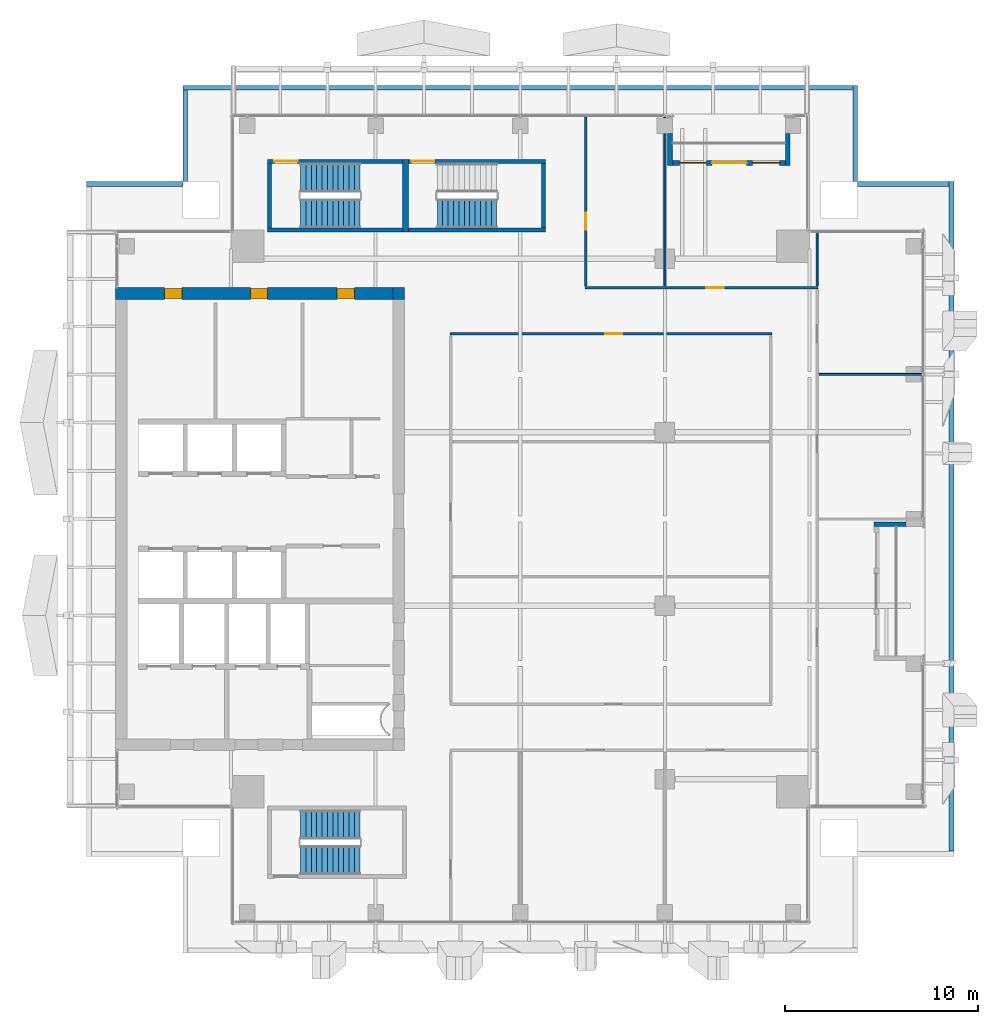
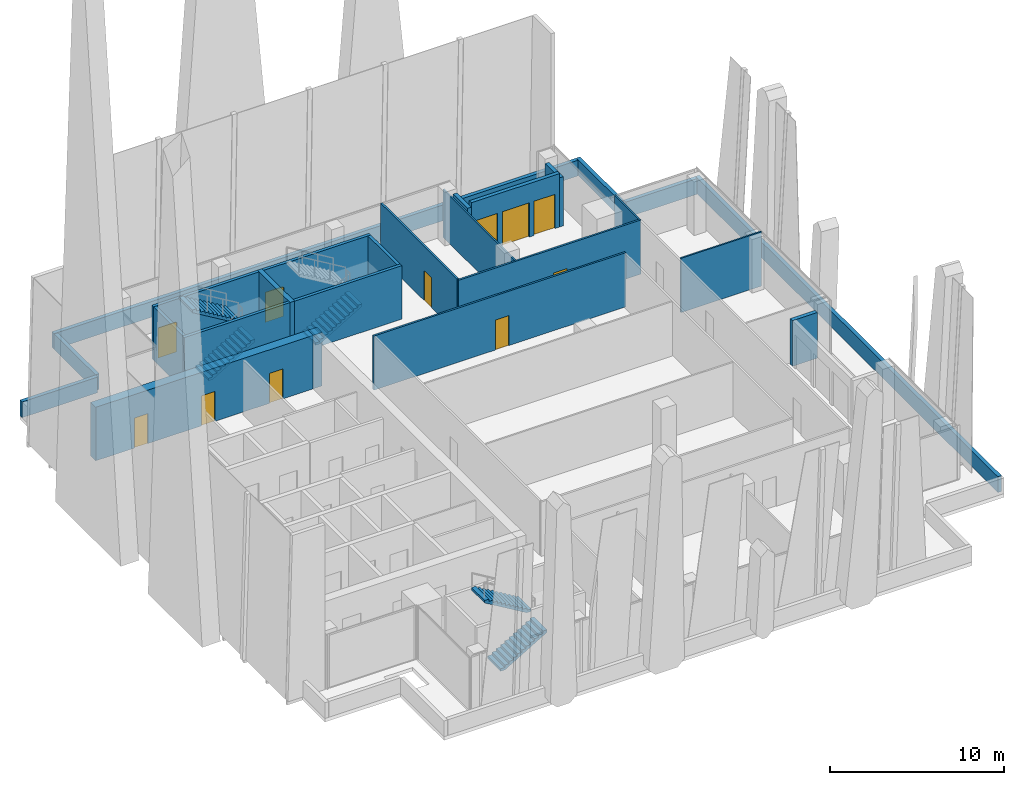
# One storey, part 27 of 32: 25 walls, 9 doors, 5 stair flights, 2 windows, 11 openings, 3 elements without a shape of their own.
"""IFC4 building model written with IfcOpenShell, lengths in metres."""

import ifcopenshell
import ifcopenshell.guid

model = None  # the IFC model being written
_history = None  # IfcOwnerHistory: only IFC2X3 demands one
_inside = {}  # id of a spatial element -> (the spatial element, [elements in it])
_under = {}  # id of a project, library or spatial element -> (it, [spatial elements below it])
_declared = {}  # id of a project -> (the project, [libraries it declares])
_typed = {}  # id of a type object -> (the type object, [elements of that type])
_made_of = {}  # id of a material, layer set ... -> (it, [elements and type objects made of it])


def new_model(schema):
    """Start an empty IFC model of exactly this schema.

    Asked for "IFC4X3", IfcOpenShell would pick the latest addendum, in which some entities
    have other attributes; the version numbers below select the first issue.
    IFC2X3 requires an IfcOwnerHistory on every rooted entity: one is made here for all.
    """
    global model, _history
    if schema == "IFC4X3":
        model = ifcopenshell.file(schema_version=(4, 3, 0, 0))
    else:
        model = ifcopenshell.file(schema=schema)
    _inside.clear()
    _under.clear()
    _declared.clear()
    _typed.clear()
    _made_of.clear()
    _history = None
    if model.schema == "IFC2X3":
        org = make("IfcOrganization", Name="unknown")
        user = make(
            "IfcPersonAndOrganization",
            ThePerson=make("IfcPerson", FamilyName="unknown"),
            TheOrganization=org,
        )
        app = make(
            "IfcApplication",
            ApplicationDeveloper=org,
            Version="unknown",
            ApplicationFullName="unknown",
            ApplicationIdentifier="unknown",
        )
        _history = make(
            "IfcOwnerHistory",
            OwningUser=user,
            OwningApplication=app,
            ChangeAction="ADDED",
            CreationDate=0,
        )
    return model


def make(cls, **values):
    """One entity of the class cls with the attributes given. An attribute that is None is left unset."""
    return model.create_entity(
        cls, **{name: value for name, value in values.items() if value is not None}
    )


def rooted(cls, **values):
    """An entity with a GlobalId (a new one), such as an element, a storey or a relation."""
    return make(cls, GlobalId=ifcopenshell.guid.new(), OwnerHistory=_history, **values)


def si_unit(unit_type, name, prefix=None):
    """IfcSIUnit, for example si_unit("LENGTHUNIT", "METRE", prefix="MILLI")."""
    return make("IfcSIUnit", UnitType=unit_type, Prefix=prefix, Name=name)


def assignment(units):
    """IfcUnitAssignment: the units of a project."""
    return None if units is None else make("IfcUnitAssignment", Units=units)


def point(xyz):
    """IfcCartesianPoint."""
    return None if xyz is None else make("IfcCartesianPoint", Coordinates=xyz)


def direction(xyz):
    """IfcDirection."""
    return None if xyz is None else make("IfcDirection", DirectionRatios=xyz)


def frame(location, z_axis=None, x_axis=None):
    """IfcAxis2Placement3D, a coordinate frame: its origin and axes. An axis left out is left unset."""
    return make(
        "IfcAxis2Placement3D",
        Location=point(location),
        Axis=direction(z_axis),
        RefDirection=direction(x_axis),
    )


def frame_2d(location, x_axis=None):
    """IfcAxis2Placement2D, a coordinate frame in the plane: its origin and x axis."""
    return make(
        "IfcAxis2Placement2D", Location=point(location), RefDirection=direction(x_axis)
    )


def origin():
    """The frame at (0, 0, 0) with its axes left unset."""
    return frame((0.0, 0.0, 0.0))


def place(relative_to, where):
    """IfcLocalPlacement: puts the frame where relative to a parent placement (None: the world)."""
    return make(
        "IfcLocalPlacement", PlacementRelTo=relative_to, RelativePlacement=where
    )


def context(
    kind, dimensions, precision=None, world=None, true_north=None, identifier=None
):
    """IfcGeometricRepresentationContext, for example the 3D "Model" context."""
    return make(
        "IfcGeometricRepresentationContext",
        ContextIdentifier=identifier,
        ContextType=kind,
        CoordinateSpaceDimension=dimensions,
        Precision=precision,
        WorldCoordinateSystem=world,
        TrueNorth=true_north,
    )


def subcontext(parent, identifier, kind, view, scale=None):
    """IfcGeometricRepresentationSubContext, for example "Body" below "Model"."""
    return make(
        "IfcGeometricRepresentationSubContext",
        ContextIdentifier=identifier,
        ContextType=kind,
        ParentContext=parent,
        TargetScale=scale,
        TargetView=view,
    )


def project(units=None, contexts=None):
    """IfcProject with its units and contexts."""
    return rooted(
        "IfcProject",
        Name="project",
        RepresentationContexts=contexts,
        UnitsInContext=assignment(units),
    )


def spatial(cls, under=None, at=None, **own):
    """A site, building, storey or space (cls), placed at a placement, below another one or the project."""
    s = rooted(cls, ObjectPlacement=at, **own)
    if under is not None:
        _under.setdefault(under.id(), (under, []))[1].append(s)
    return s


def polyline(points):
    """IfcPolyline through the points."""
    return make("IfcPolyline", Points=[point(p) for p in points])


def profile(cls, at=None, kind="AREA", **sizes):
    """A parametric profile (cls). Its sizes go by their IFC names, for example OverallWidth=200.0."""
    return make(cls, ProfileType=kind, Position=at, **sizes)


def rectangle(**sizes):
    """IfcRectangleProfileDef."""
    return profile("IfcRectangleProfileDef", **sizes)


def outline(outer, holes=None, kind="AREA"):
    """IfcArbitraryClosedProfileDef: a profile drawn as a closed curve; with holes, ...WithVoids."""
    if holes is None:
        return make("IfcArbitraryClosedProfileDef", ProfileType=kind, OuterCurve=outer)
    return make(
        "IfcArbitraryProfileDefWithVoids",
        ProfileType=kind,
        OuterCurve=outer,
        InnerCurves=holes,
    )


def extrude(swept, where, along, depth):
    """IfcExtrudedAreaSolid: the profile swept, set in the frame where, extruded along a direction by depth."""
    return make(
        "IfcExtrudedAreaSolid",
        SweptArea=swept,
        Position=where,
        ExtrudedDirection=direction(along),
        Depth=depth,
    )


def shape(context_of_items, identifier, shape_type, items):
    """IfcShapeRepresentation: the items that make up one representation, for example the "Body"."""
    return make(
        "IfcShapeRepresentation",
        ContextOfItems=context_of_items,
        RepresentationIdentifier=identifier,
        RepresentationType=shape_type,
        Items=items,
    )


def source(mapping_origin, context_of_items, identifier, shape_type, items):
    """IfcRepresentationMap: a shape defined once, which mapped items show again and again."""
    return make(
        "IfcRepresentationMap",
        MappingOrigin=mapping_origin,
        MappedRepresentation=shape(context_of_items, identifier, shape_type, items),
    )


def transform(
    local_origin,
    x_axis=None,
    y_axis=None,
    z_axis=None,
    scale=None,
    scale2=None,
    scale3=None,
    uniform=True,
):
    """IfcCartesianTransformationOperator3D, or its non-uniform kind. x_axis, y_axis, z_axis: its Axis1, 2, 3."""
    if uniform:
        return make(
            "IfcCartesianTransformationOperator3D",
            Axis1=direction(x_axis),
            Axis2=direction(y_axis),
            LocalOrigin=point(local_origin),
            Scale=scale,
            Axis3=direction(z_axis),
        )
    return make(
        "IfcCartesianTransformationOperator3DnonUniform",
        Axis1=direction(x_axis),
        Axis2=direction(y_axis),
        LocalOrigin=point(local_origin),
        Scale=scale,
        Axis3=direction(z_axis),
        Scale2=scale2,
        Scale3=scale3,
    )


def mapped(mapping_source, mapping_target):
    """IfcMappedItem: shows the shape of a source again, moved by a transform."""
    return make(
        "IfcMappedItem", MappingSource=mapping_source, MappingTarget=mapping_target
    )


def material(Name=None, Category=None):
    """IfcMaterial."""
    return make("IfcMaterial", Name=Name, Category=Category)


def layer(
    of_material, thickness, ventilated=None, Name=None, Category=None, Priority=None
):
    """IfcMaterialLayer: one layer of a wall or slab, of a material (None: an air gap)."""
    return make(
        "IfcMaterialLayer",
        Material=of_material,
        LayerThickness=thickness,
        IsVentilated=ventilated,
        Name=Name,
        Category=Category,
        Priority=Priority,
    )


def layer_set(layers, Name=None):
    """IfcMaterialLayerSet."""
    return make("IfcMaterialLayerSet", MaterialLayers=layers, LayerSetName=Name)


def made_of(thing, what):
    """Note that an element or type object is made of a material, layer set ...; save() writes the relation."""
    if what is not None:
        _made_of.setdefault(what.id(), (what, []))[1].append(thing)
    return thing


def type_object(cls, material=None, **own):
    """A type object (cls), such as IfcWallType, which elements share."""
    return made_of(rooted(cls, **own), material)


def element(
    cls,
    number,
    at=None,
    inside=None,
    cuts=None,
    type_object=None,
    material=None,
    context=None,
    identifier="Body",
    shape_type=None,
    held_by="IfcProductDefinitionShape",
    body=None,
    shapes=None,
    **own,
):
    """One element of the class cls, such as IfcWall. Its Tag is "e" and its number.

    at: its placement. inside: the storey or other place that contains it. cuts: it is an
    opening in that element (IfcRelVoidsElement). A single representation is given by context,
    identifier, shape_type and body (its items); several are given by shapes. held_by: the class
    of the entity that holds the representations. save() writes the other relations.
    """
    e = rooted(cls, Tag="e%d" % number, ObjectPlacement=at, **own)
    if body is not None:
        shapes = [shape(context, identifier, shape_type, body)]
    if shapes is not None:
        e.Representation = make(held_by, Representations=shapes)
    if inside is not None:
        _inside.setdefault(inside.id(), (inside, []))[1].append(e)
    if cuts is not None:
        rooted(
            "IfcRelVoidsElement", RelatingBuildingElement=cuts, RelatedOpeningElement=e
        )
    if type_object is not None:
        _typed.setdefault(type_object.id(), (type_object, []))[1].append(e)
    return made_of(e, material)


def fill(opening, filler):
    """IfcRelFillsElement: the door or window that sits in an opening."""
    return rooted(
        "IfcRelFillsElement",
        RelatingOpeningElement=opening,
        RelatedBuildingElement=filler,
    )


def aggregate(whole, parts):
    """IfcRelAggregates: a whole, such as a stair, and the parts it consists of."""
    return rooted("IfcRelAggregates", RelatingObject=whole, RelatedObjects=parts)


def save(model, path):
    """Write the relations noted so far, then the file.

    IfcRelAggregates (storeys below a building ...), IfcRelContainedInSpatialStructure (elements
    in a storey), IfcRelDefinesByType, IfcRelAssociatesMaterial and IfcRelDeclares: one each for
    every whole, place, type object, material and project.
    """
    for whole, parts in _under.values():
        aggregate(whole, parts)
    for where, things in _inside.values():
        rooted(
            "IfcRelContainedInSpatialStructure",
            RelatedElements=things,
            RelatingStructure=where,
        )
    for kind, things in _typed.values():
        rooted("IfcRelDefinesByType", RelatedObjects=things, RelatingType=kind)
    for what, things in _made_of.values():
        rooted("IfcRelAssociatesMaterial", RelatedObjects=things, RelatingMaterial=what)
    for by, libraries in _declared.values():
        rooted("IfcRelDeclares", RelatingContext=by, RelatedDefinitions=libraries)
    model.write(path)


model = new_model("IFC4")

# Units and contexts
model_context = context("Model", 3, precision=1e-05, world=origin(), true_north=direction((0.0, 1.0)))
body_context = subcontext(model_context, "Body", "Model", "MODEL_VIEW")
ifc_project = project(units=[si_unit("LENGTHUNIT", "METRE"), si_unit("AREAUNIT", "SQUARE_METRE"), si_unit("VOLUMEUNIT", "CUBIC_METRE"), si_unit("PLANEANGLEUNIT", "RADIAN"), si_unit("MASSUNIT", "GRAM", prefix="KILO")], contexts=[model_context])

# Site, building, storey
site_placement = place(None, origin())
site = spatial("IfcSite", under=ifc_project, at=site_placement, CompositionType="ELEMENT")
building_placement = place(site_placement, origin())
building = spatial("IfcBuilding", under=site, at=building_placement, Name="Khomas Fold Tower", CompositionType="ELEMENT")
storey_placement = place(building_placement, frame((0.0, 0.0, 282.199951171875)))
storey = spatial("IfcBuildingStorey", under=building, at=storey_placement, Name="L63", CompositionType="ELEMENT", Elevation=282.199951171875)

# Wall, opening, door
ifc_material_1 = material(Name="Concrete C50/60", Category="concrete")
ifc_layer_1 = layer(ifc_material_1, 0.199951171875)
ifc_layer_set_1 = layer_set([ifc_layer_1], Name="Concrete C50/60")
wall_type_1 = type_object("IfcWallType", Name="Stair wall 200", PredefinedType="SHEAR", material=ifc_layer_set_1)
shared_shape_1 = source(origin(), body_context, "Body", "SweptSolid", [
    extrude(rectangle(XDim=7.0, YDim=0.199951171875, at=frame_2d((3.5, 0.0))), origin(), (0.0, 0.0, 1.0), 3.75),
])
wall_1_placement = place(storey_placement, frame((13.89990234375, 45.550048828125, 0.0), z_axis=(0.0, 0.0, 1.0), x_axis=(1.0, 0.0, 0.0)))
wall_1 = element("IfcWall", 1, at=wall_1_placement, inside=storey, type_object=wall_type_1, Name="Stair wall SW-ST1-N", PredefinedType="SHEAR", context=body_context, shape_type="MappedRepresentation", body=[
    mapped(shared_shape_1, transform((0.0, 0.0, 0.0))),
])
shared_shape_2 = source(origin(), body_context, "Body", "SweptSolid", [
    extrude(rectangle(XDim=1.199951171875, YDim=2.10009765625, at=frame_2d((0.60009765625, 1.050048828125))), frame((0.0, 0.10986328125, 0.0), z_axis=(0.0, -1.0, 0.0), x_axis=(1.0, 0.0, 0.0)), (0.0, 0.0, 1.0), 0.219970703125),
])
opening_1_placement = place(wall_1_placement, frame((0.35009765625, 0.0, 0.0)))
opening_1 = element("IfcOpeningElement", 2, at=opening_1_placement, cuts=wall_1, Name="Opening SD-ST1", PredefinedType="OPENING", context=body_context, shape_type="MappedRepresentation", body=[
    mapped(shared_shape_2, transform((0.0, 0.0, 0.0))),
])
ifc_material_2 = material(Name="Steel door leaf", Category="steel")
door_type_1 = type_object("IfcDoorType", Name="Stair door 1200x2100 left-hand", OperationType="SINGLE_SWING_LEFT", PredefinedType="DOOR", material=ifc_material_2)
shared_shape_3 = source(origin(), body_context, "Body", "SweptSolid", [
    extrude(rectangle(XDim=1.199951171875, YDim=2.10009765625, at=frame_2d((0.60009765625, 1.050048828125))), frame((0.0, 0.02490234375, 0.0), z_axis=(0.0, -1.0, 0.0), x_axis=(1.0, 0.0, 0.0)), (0.0, 0.0, 1.0), 0.050048828125),
])
door_1_placement = place(opening_1_placement, origin())
door_1 = element("IfcDoor", 3, at=door_1_placement, inside=storey, type_object=door_type_1, Name="Stair door", OperationType="SINGLE_SWING_LEFT", OverallHeight=2.10009765625, OverallWidth=1.199951171875, PredefinedType="DOOR", context=body_context, shape_type="MappedRepresentation", body=[
    mapped(shared_shape_3, transform((0.0, 0.0, 0.0))),
])
fill(opening_1, door_1)

# Wall
wall_2_placement = place(storey_placement, frame((13.89990234375, 42.0, 0.0), z_axis=(0.0, 0.0, 1.0), x_axis=(1.0, 0.0, 0.0)))
element("IfcWall", 4, at=wall_2_placement, inside=storey, type_object=wall_type_1, Name="Stair wall SW-ST1-S", PredefinedType="SHEAR", context=body_context, shape_type="MappedRepresentation", body=[
    mapped(shared_shape_1, transform((0.0, 0.0, 0.0))),
])

# Wall, opening, door
shared_shape_4 = source(origin(), body_context, "Body", "SweptSolid", [
    extrude(rectangle(XDim=7.10009765625, YDim=0.199951171875, at=frame_2d((3.550048828125, 0.0))), origin(), (0.0, 0.0, 1.0), 3.75),
])
wall_3_placement = place(storey_placement, frame((21.199951171875, 45.550048828125, 0.0), z_axis=(0.0, 0.0, 1.0), x_axis=(1.0, 0.0, 0.0)))
wall_3 = element("IfcWall", 5, at=wall_3_placement, inside=storey, type_object=wall_type_1, Name="Stair wall SW-ST3-N", PredefinedType="SHEAR", context=body_context, shape_type="MappedRepresentation", body=[
    mapped(shared_shape_4, transform((0.0, 0.0, 0.0))),
])
opening_2_placement = place(wall_3_placement, frame((0.14990234375, 0.0, 0.0)))
opening_2 = element("IfcOpeningElement", 6, at=opening_2_placement, cuts=wall_3, Name="Opening SD-ST3", PredefinedType="OPENING", context=body_context, shape_type="MappedRepresentation", body=[
    mapped(shared_shape_2, transform((0.0, 0.0, 0.0))),
])
door_2_placement = place(opening_2_placement, origin())
door_2 = element("IfcDoor", 7, at=door_2_placement, inside=storey, type_object=door_type_1, Name="Stair door", OperationType="SINGLE_SWING_LEFT", OverallHeight=2.10009765625, OverallWidth=1.199951171875, PredefinedType="DOOR", context=body_context, shape_type="MappedRepresentation", body=[
    mapped(shared_shape_3, transform((0.0, 0.0, 0.0))),
])
fill(opening_2, door_2)

# Walls
wall_4_placement = place(storey_placement, frame((21.199951171875, 42.0, 0.0), z_axis=(0.0, 0.0, 1.0), x_axis=(1.0, 0.0, 0.0)))
element("IfcWall", 8, at=wall_4_placement, inside=storey, type_object=wall_type_1, Name="Stair wall SW-ST3-S", PredefinedType="SHEAR", context=body_context, shape_type="MappedRepresentation", body=[
    mapped(shared_shape_4, transform((0.0, 0.0, 0.0))),
])
ifc_material_3 = material(Name="Concrete C50/60", Category="concrete")
ifc_layer_2 = layer(ifc_material_3, 0.300048828125)
ifc_layer_set_2 = layer_set([ifc_layer_2], Name="Concrete C50/60")
wall_type_2 = type_object("IfcWallType", Name="Stair wall 300", PredefinedType="SHEAR", material=ifc_layer_set_2)
shared_shape_5 = source(origin(), body_context, "Body", "SweptSolid", [
    extrude(rectangle(XDim=3.75, YDim=0.300048828125, at=frame_2d((1.875, 0.0))), origin(), (0.0, 0.0, 1.0), 3.75),
])
wall_5_placement = place(storey_placement, frame((21.050048828125, 41.89990234375, 0.0), z_axis=(0.0, 0.0, 1.0), x_axis=(0.0, 1.0, 0.0)))
element("IfcWall", 9, at=wall_5_placement, inside=storey, type_object=wall_type_2, Name="Stair wall SW-ST1-E", PredefinedType="SHEAR", context=body_context, shape_type="MappedRepresentation", body=[
    mapped(shared_shape_5, transform((0.0, 0.0, 0.0))),
])
shared_shape_6 = source(origin(), body_context, "Body", "SweptSolid", [
    extrude(rectangle(XDim=3.349853515625, YDim=0.199951171875, at=frame_2d((1.6748046875, 0.0))), origin(), (0.0, 0.0, 1.0), 3.75),
])
for number, where, z_axis, x_axis, name in (
    (10, (14.0, 42.10009765625, 0.0), (0.0, 0.0, 1.0), (0.0, 1.0, 0.0), "Stair wall SW-ST1-W"),
    (11, (28.199951171875, 42.10009765625, 0.0), (0.0, 0.0, 1.0), (0.0, 1.0, 0.0), "Stair wall SW-ST3-E"),
):
    element("IfcWall", number, at=place(storey_placement, frame(where, z_axis=z_axis, x_axis=x_axis)), inside=storey, type_object=wall_type_1, Name=name, PredefinedType="SHEAR", context=body_context, shape_type="MappedRepresentation", body=[
        mapped(shared_shape_6, transform((0.0, 0.0, 0.0))),
    ])

# Wall, openings, doors
ifc_material_4 = material(Name="Concrete C50/60", Category="concrete")
ifc_layer_3 = layer(ifc_material_4, 0.60009765625)
ifc_layer_set_3 = layer_set([ifc_layer_3], Name="Concrete C50/60")
wall_type_3 = type_object("IfcWallType", Name="Core wall 600", PredefinedType="SHEAR", material=ifc_layer_set_3)
shared_shape_7 = source(origin(), body_context, "Body", "SweptSolid", [
    extrude(rectangle(XDim=14.39990234375, YDim=0.60009765625, at=frame_2d((7.199951171875, 0.0))), origin(), (0.0, 0.0, 1.0), 3.75),
])
wall_6_placement = place(storey_placement, frame((6.0, 38.699951171875, 0.0), z_axis=(0.0, 0.0, 1.0), x_axis=(1.0, 0.0, 0.0)))
wall_6 = element("IfcWall", 12, at=wall_6_placement, inside=storey, type_object=wall_type_3, Name="Core wall CW-U-N-L63", PredefinedType="SHEAR", context=body_context, shape_type="MappedRepresentation", body=[
    mapped(shared_shape_7, transform((0.0, 0.0, 0.0))),
])
shared_shape_8 = source(origin(), body_context, "Body", "SweptSolid", [
    extrude(rectangle(XDim=0.89990234375, YDim=2.10009765625, at=frame_2d((0.449951171875, 1.050048828125))), frame((0.0, 0.31005859375, 0.0), z_axis=(0.0, -1.0, 0.0), x_axis=(1.0, 0.0, 0.0)), (0.0, 0.0, 1.0), 0.6201171875),
])
opening_3_placement = place(wall_6_placement, frame((2.550048828125, 0.0, 0.0)))
opening_3 = element("IfcOpeningElement", 13, at=opening_3_placement, cuts=wall_6, Name="Opening 0003", PredefinedType="OPENING", context=body_context, shape_type="MappedRepresentation", body=[
    mapped(shared_shape_8, transform((0.0, 0.0, 0.0))),
])
opening_4_placement = place(wall_6_placement, frame((7.0, 0.0, 0.0)))
opening_4 = element("IfcOpeningElement", 14, at=opening_4_placement, cuts=wall_6, Name="Opening 0003", PredefinedType="OPENING", context=body_context, shape_type="MappedRepresentation", body=[
    mapped(shared_shape_8, transform((0.0, 0.0, 0.0))),
])
opening_5_placement = place(wall_6_placement, frame((11.5, 0.0, 0.0)))
opening_5 = element("IfcOpeningElement", 15, at=opening_5_placement, cuts=wall_6, Name="Opening 0008", PredefinedType="OPENING", context=body_context, shape_type="MappedRepresentation", body=[
    mapped(shared_shape_8, transform((0.0, 0.0, 0.0))),
])
ifc_material_5 = material(Name="Steel door leaf", Category="steel")
door_type_2 = type_object("IfcDoorType", Name="Plant room door 900x2100 right-hand", OperationType="SINGLE_SWING_RIGHT", PredefinedType="DOOR", material=ifc_material_5)
shared_shape_9 = source(origin(), body_context, "Body", "SweptSolid", [
    extrude(rectangle(XDim=0.89990234375, YDim=2.10009765625, at=frame_2d((0.449951171875, 1.050048828125))), frame((0.0, 0.25, 0.0), z_axis=(0.0, -1.0, 0.0), x_axis=(1.0, 0.0, 0.0)), (0.0, 0.0, 1.0), 0.5),
])
door_3_placement = place(opening_3_placement, origin())
door_3 = element("IfcDoor", 16, at=door_3_placement, inside=storey, type_object=door_type_2, Name="Plant room door", OperationType="SINGLE_SWING_RIGHT", OverallHeight=2.10009765625, OverallWidth=0.89990234375, PredefinedType="DOOR", context=body_context, shape_type="MappedRepresentation", body=[
    mapped(shared_shape_9, transform((0.0, 0.0, 0.0))),
])
fill(opening_3, door_3)
door_4_placement = place(opening_4_placement, origin())
door_4 = element("IfcDoor", 17, at=door_4_placement, inside=storey, type_object=door_type_2, Name="Plant room door", OperationType="SINGLE_SWING_RIGHT", OverallHeight=2.10009765625, OverallWidth=0.89990234375, PredefinedType="DOOR", context=body_context, shape_type="MappedRepresentation", body=[
    mapped(shared_shape_9, transform((0.0, 0.0, 0.0))),
])
fill(opening_4, door_4)
ifc_material_6 = material(Name="Timber door leaf", Category="wood")
door_type_3 = type_object("IfcDoorType", Name="Door 900x2100 right-hand", OperationType="SINGLE_SWING_RIGHT", PredefinedType="DOOR", material=ifc_material_6)
door_5_placement = place(opening_5_placement, origin())
door_5 = element("IfcDoor", 18, at=door_5_placement, inside=storey, type_object=door_type_3, Name="Door", OperationType="SINGLE_SWING_RIGHT", OverallHeight=2.10009765625, OverallWidth=0.89990234375, PredefinedType="DOOR", context=body_context, shape_type="MappedRepresentation", body=[
    mapped(shared_shape_9, transform((0.0, 0.0, 0.0))),
])
fill(opening_5, door_5)

# Wall
ifc_material_7 = material(Name="Concrete C50/60", Category="concrete")
ifc_layer_4 = layer(ifc_material_7, 0.60009765625)
ifc_layer_set_4 = layer_set([ifc_layer_4], Name="Concrete C50/60")
wall_type_4 = type_object("IfcWallType", Name="Core corner wall 600", PredefinedType="SHEAR", material=ifc_layer_set_4)
shared_shape_10 = source(origin(), body_context, "Body", "SweptSolid", [
    extrude(rectangle(XDim=0.60009765625, YDim=0.60009765625, at=frame_2d((0.300048828125, 0.0))), origin(), (0.0, 0.0, 1.0), 3.75),
])
wall_7_placement = place(storey_placement, frame((20.39990234375, 38.699951171875, 0.0), z_axis=(0.0, 0.0, 1.0), x_axis=(1.0, 0.0, 0.0)))
element("IfcWall", 19, at=wall_7_placement, inside=storey, type_object=wall_type_4, Name="Core wall CW-U-NE-L63", PredefinedType="SHEAR", context=body_context, shape_type="MappedRepresentation", body=[
    mapped(shared_shape_10, transform((0.0, 0.0, 0.0))),
])

# Wall, openings, door, windows
ifc_material_8 = material(Name="Natural stone", Category="masonry")
ifc_layer_5 = layer(ifc_material_8, 0.0400390625)
ifc_material_9 = material(Name="Mineral wool insulation", Category="insulation")
ifc_layer_6 = layer(ifc_material_9, 0.10009765625)
ifc_material_10 = material(Name="Masonry", Category="masonry")
ifc_layer_7 = layer(ifc_material_10, 0.110107421875)
ifc_layer_set_5 = layer_set([ifc_layer_5, ifc_layer_6, ifc_layer_7], Name="Stone-faced insulated masonry")
wall_type_5 = type_object("IfcWallType", Name="BL-Balcony wall", PredefinedType="SOLIDWALL", material=ifc_layer_set_5)
shared_shape_11 = source(origin(), body_context, "Body", "SweptSolid", [
    extrude(rectangle(XDim=5.85009765625, YDim=0.25, at=frame_2d((2.925048828125, 0.0))), origin(), (0.0, 0.0, 1.0), 3.75),
])
wall_8_placement = place(storey_placement, frame((34.89990234375, 45.47509765625, 0.0), z_axis=(0.0, 0.0, 1.0), x_axis=(1.0, 0.0, 0.0)))
wall_8 = element("IfcWall", 20, at=wall_8_placement, inside=storey, type_object=wall_type_5, Name="Balcony wall BAL-L63-N4", PredefinedType="SOLIDWALL", context=body_context, shape_type="MappedRepresentation", body=[
    mapped(shared_shape_11, transform((0.0, 0.0, 0.0))),
])
shared_shape_12 = source(origin(), body_context, "Body", "SweptSolid", [
    extrude(rectangle(XDim=1.39990234375, YDim=2.39990234375, at=frame_2d((0.699951171875, 1.199951171875))), frame((0.0, 0.135009765625, 0.0), z_axis=(0.0, -1.0, 0.0), x_axis=(1.0, 0.0, 0.0)), (0.0, 0.0, 1.0), 0.27001953125),
])
opening_6_placement = place(wall_8_placement, frame((0.35009765625, 0.0, 0.0)))
opening_6 = element("IfcOpeningElement", 21, at=opening_6_placement, cuts=wall_8, Name="Opening BL-W6", PredefinedType="OPENING", context=body_context, shape_type="MappedRepresentation", body=[
    mapped(shared_shape_12, transform((0.0, 0.0, 0.0))),
])
opening_7_placement = place(wall_8_placement, frame((4.14990234375, 0.0, 0.0)))
opening_7 = element("IfcOpeningElement", 22, at=opening_7_placement, cuts=wall_8, Name="Opening BL-W6", PredefinedType="OPENING", context=body_context, shape_type="MappedRepresentation", body=[
    mapped(shared_shape_12, transform((0.0, 0.0, 0.0))),
])
shared_shape_13 = source(origin(), body_context, "Body", "SweptSolid", [
    extrude(rectangle(XDim=1.800048828125, YDim=2.39990234375, at=frame_2d((0.89990234375, 1.199951171875))), frame((0.0, 0.135009765625, 0.0), z_axis=(0.0, -1.0, 0.0), x_axis=(1.0, 0.0, 0.0)), (0.0, 0.0, 1.0), 0.27001953125),
])
opening_8_placement = place(wall_8_placement, frame((2.050048828125, 0.0, 0.0)))
opening_8 = element("IfcOpeningElement", 23, at=opening_8_placement, cuts=wall_8, Name="Opening BD631", PredefinedType="OPENING", context=body_context, shape_type="MappedRepresentation", body=[
    mapped(shared_shape_13, transform((0.0, 0.0, 0.0))),
])
ifc_material_11 = material(Name="Aluminium framed double glazing", Category="aluminium")
door_type_4 = type_object("IfcDoorType", Name="BL-Glazed balcony door 1800 x 2400", OperationType="DOUBLE_DOOR_DOUBLE_SWING", PredefinedType="DOOR", material=ifc_material_11)
shared_shape_14 = source(origin(), body_context, "Body", "SweptSolid", [
    extrude(rectangle(XDim=1.800048828125, YDim=2.39990234375, at=frame_2d((0.89990234375, 1.199951171875))), frame((0.0, 0.02490234375, 0.0), z_axis=(0.0, -1.0, 0.0), x_axis=(1.0, 0.0, 0.0)), (0.0, 0.0, 1.0), 0.050048828125),
])
door_6_placement = place(opening_8_placement, origin())
door_6 = element("IfcDoor", 24, at=door_6_placement, inside=storey, type_object=door_type_4, Name="Balcony door BD631", OperationType="DOUBLE_DOOR_DOUBLE_SWING", OverallHeight=2.39990234375, OverallWidth=1.800048828125, PredefinedType="DOOR", context=body_context, shape_type="MappedRepresentation", body=[
    mapped(shared_shape_14, transform((0.0, 0.0, 0.0))),
])
fill(opening_8, door_6)
ifc_material_12 = material(Name="Aluminium framed double glazing", Category="aluminium")
window_type = type_object("IfcWindowType", Name="BL-Fixed glazing 1400 x 2400", PartitioningType="SINGLE_PANEL", PredefinedType="WINDOW", material=ifc_material_12)
shared_shape_15 = source(origin(), body_context, "Body", "SweptSolid", [
    extrude(rectangle(XDim=1.39990234375, YDim=2.39990234375, at=frame_2d((0.699951171875, 1.199951171875))), frame((0.0, 0.030029296875, 0.0), z_axis=(0.0, -1.0, 0.0), x_axis=(1.0, 0.0, 0.0)), (0.0, 0.0, 1.0), 0.06005859375),
])
window_1_placement = place(opening_6_placement, origin())
window_1 = element("IfcWindow", 25, at=window_1_placement, inside=storey, type_object=window_type, Name="Balcony glazing BAL-L63-N4-1", OverallHeight=2.39990234375, OverallWidth=1.39990234375, PartitioningType="SINGLE_PANEL", PredefinedType="WINDOW", context=body_context, shape_type="MappedRepresentation", body=[
    mapped(shared_shape_15, transform((0.0, 0.0, 0.0))),
])
fill(opening_6, window_1)
window_2_placement = place(opening_7_placement, origin())
window_2 = element("IfcWindow", 26, at=window_2_placement, inside=storey, type_object=window_type, Name="Balcony glazing BAL-L63-N4-2", OverallHeight=2.39990234375, OverallWidth=1.39990234375, PartitioningType="SINGLE_PANEL", PredefinedType="WINDOW", context=body_context, shape_type="MappedRepresentation", body=[
    mapped(shared_shape_15, transform((0.0, 0.0, 0.0))),
])
fill(opening_7, window_2)

# Walls
shared_shape_16 = source(origin(), body_context, "Body", "SweptSolid", [
    extrude(rectangle(XDim=1.64990234375, YDim=0.25, at=frame_2d((0.824951171875, 0.0))), origin(), (0.0, 0.0, 1.0), 3.449951171875),
])
for number, where, z_axis, x_axis, name in (
    (27, (34.77490234375, 47.0, 0.0), (0.0, 0.0, 1.0), (0.0, -1.0, 0.0), "Balcony return wall BAL-L63-N4-lo"),
    (28, (40.875, 47.0, 0.0), (0.0, 0.0, 1.0), (0.0, -1.0, 0.0), "Balcony return wall BAL-L63-N4-hi"),
):
    element("IfcWall", number, at=place(storey_placement, frame(where, z_axis=z_axis, x_axis=x_axis)), inside=storey, type_object=wall_type_5, Name=name, PredefinedType="SOLIDWALL", context=body_context, shape_type="MappedRepresentation", body=[
        mapped(shared_shape_16, transform((0.0, 0.0, 0.0))),
    ])
shared_shape_17 = source(origin(), body_context, "Body", "SweptSolid", [
    extrude(rectangle(XDim=1.64990234375, YDim=0.25, at=frame_2d((0.824951171875, 0.0))), origin(), (0.0, 0.0, 1.0), 3.199951171875),
])
wall_9_placement = place(storey_placement, frame((47.0, 26.72509765625, 0.0), z_axis=(0.0, 0.0, 1.0), x_axis=(-1.0, 0.0, 0.0)))
element("IfcWall", 29, at=wall_9_placement, inside=storey, type_object=wall_type_5, Name="Balcony return wall BAL-L63-E2-hi", PredefinedType="SOLIDWALL", context=body_context, shape_type="MappedRepresentation", body=[
    mapped(shared_shape_17, transform((0.0, 0.0, 0.0))),
])
ifc_material_13 = material(Name="Concrete C40/50", Category="concrete")
ifc_layer_8 = layer(ifc_material_13, 0.25)
ifc_layer_set_6 = layer_set([ifc_layer_8], Name="Concrete C40/50")
wall_type_6 = type_object("IfcWallType", Name="Setback roof parapet 250", PredefinedType="PARAPET", material=ifc_layer_set_6)
shared_shape_18 = source(origin(), body_context, "Body", "SweptSolid", [
    extrude(rectangle(XDim=5.0, YDim=0.25, at=frame_2d((2.5, 0.0))), origin(), (0.0, 0.0, 1.0), 1.10009765625),
])
for number, where, z_axis, x_axis, name in (
    (30, (44.375, 44.5, 0.0), (0.0, 0.0, 1.0), (0.0, 1.0, 0.0), "Setback roof parapet"),
    (31, (9.5, 44.375, 0.0), (0.0, 0.0, 1.0), (-1.0, 0.0, 0.0), "Setback roof parapet"),
):
    element("IfcWall", number, at=place(storey_placement, frame(where, z_axis=z_axis, x_axis=x_axis)), inside=storey, type_object=wall_type_6, Name=name, PredefinedType="SOLIDWALL", context=body_context, shape_type="MappedRepresentation", body=[
        mapped(shared_shape_18, transform((0.0, 0.0, 0.0))),
    ])
shared_shape_19 = source(origin(), body_context, "Body", "SweptSolid", [
    extrude(rectangle(XDim=34.72998046875, YDim=0.25, at=frame_2d((17.364990234375, 0.0))), origin(), (0.0, 0.0, 1.0), 1.10009765625),
])
for number, where, z_axis, x_axis, name in (
    (32, (49.375, 9.77001953125, 0.0), (0.0, 0.0, 1.0), (0.0, 1.0, 0.0), "Setback roof parapet"),
    (33, (44.22998046875, 49.375, 0.0), (0.0, 0.0, 1.0), (-1.0, 0.0, 0.0), "Setback roof parapet"),
):
    element("IfcWall", number, at=place(storey_placement, frame(where, z_axis=z_axis, x_axis=x_axis)), inside=storey, type_object=wall_type_6, Name=name, PredefinedType="SOLIDWALL", context=body_context, shape_type="MappedRepresentation", body=[
        mapped(shared_shape_19, transform((0.0, 0.0, 0.0))),
    ])
shared_shape_20 = source(origin(), body_context, "Body", "SweptSolid", [
    extrude(rectangle(XDim=4.72998046875, YDim=0.25, at=frame_2d((2.364990234375, 0.0))), origin(), (0.0, 0.0, 1.0), 1.10009765625),
])
for number, where, z_axis, x_axis, name in (
    (34, (49.22998046875, 44.375, 0.0), (0.0, 0.0, 1.0), (-1.0, 0.0, 0.0), "Setback roof parapet"),
    (35, (9.625, 49.22998046875, 0.0), (0.0, 0.0, 1.0), (0.0, -1.0, 0.0), "Setback roof parapet"),
):
    element("IfcWall", number, at=place(storey_placement, frame(where, z_axis=z_axis, x_axis=x_axis)), inside=storey, type_object=wall_type_6, Name=name, PredefinedType="SOLIDWALL", context=body_context, shape_type="MappedRepresentation", body=[
        mapped(shared_shape_20, transform((0.0, 0.0, 0.0))),
    ])

# Wall, opening, door
ifc_material_14 = material(Name="Plasterboard partition")
ifc_layer_9 = layer(ifc_material_14, 0.125)
ifc_layer_set_7 = layer_set([ifc_layer_9], Name="Plasterboard partition")
wall_type_7 = type_object("IfcWallType", Name="Partition PW2 125", PredefinedType="PARTITIONING", material=ifc_layer_set_7)
shared_shape_21 = source(origin(), body_context, "Body", "SweptSolid", [
    extrude(rectangle(XDim=8.75, YDim=0.125, at=frame_2d((4.375, 0.0))), origin(), (0.0, 0.0, 1.0), 3.800048828125),
])
wall_10_placement = place(storey_placement, frame((30.39990234375, 39.10009765625, 0.0), z_axis=(0.0, 0.0, 1.0), x_axis=(0.0, 1.0, 0.0)))
wall_10 = element("IfcWall", 36, at=wall_10_placement, inside=storey, type_object=wall_type_7, Name="Partition", PredefinedType="PARTITIONING", context=body_context, shape_type="MappedRepresentation", body=[
    mapped(shared_shape_21, transform((0.0, 0.0, 0.0))),
])
shared_shape_22 = source(origin(), body_context, "Body", "SweptSolid", [
    extrude(rectangle(XDim=0.89990234375, YDim=2.10009765625, at=frame_2d((0.449951171875, 1.050048828125))), frame((0.0, 0.072509765625, 0.0), z_axis=(0.0, -1.0, 0.0), x_axis=(1.0, 0.0, 0.0)), (0.0, 0.0, 1.0), 0.14501953125),
])
opening_9_placement = place(wall_10_placement, frame((2.89990234375, 0.0, 0.0)))
opening_9 = element("IfcOpeningElement", 37, at=opening_9_placement, cuts=wall_10, Name="Opening 0008", PredefinedType="OPENING", context=body_context, shape_type="MappedRepresentation", body=[
    mapped(shared_shape_22, transform((0.0, 0.0, 0.0))),
])
shared_shape_23 = source(origin(), body_context, "Body", "SweptSolid", [
    extrude(rectangle(XDim=0.89990234375, YDim=2.10009765625, at=frame_2d((0.449951171875, 1.050048828125))), frame((0.0, 0.02490234375, 0.0), z_axis=(0.0, -1.0, 0.0), x_axis=(1.0, 0.0, 0.0)), (0.0, 0.0, 1.0), 0.050048828125),
])
door_7_placement = place(opening_9_placement, origin())
door_7 = element("IfcDoor", 38, at=door_7_placement, inside=storey, type_object=door_type_3, Name="Door", OperationType="SINGLE_SWING_RIGHT", OverallHeight=2.10009765625, OverallWidth=0.89990234375, PredefinedType="DOOR", context=body_context, shape_type="MappedRepresentation", body=[
    mapped(shared_shape_23, transform((0.0, 0.0, 0.0))),
])
fill(opening_9, door_7)

# Walls
ifc_material_15 = material(Name="Plasterboard partition")
ifc_layer_10 = layer(ifc_material_15, 0.10009765625)
ifc_layer_set_8 = layer_set([ifc_layer_10], Name="Plasterboard partition")
wall_type_8 = type_object("IfcWallType", Name="Partition PW1 100", PredefinedType="PARTITIONING", material=ifc_layer_set_8)
shared_shape_24 = source(origin(), body_context, "Body", "SweptSolid", [
    extrude(rectangle(XDim=8.75, YDim=0.10009765625, at=frame_2d((4.375, 0.0))), origin(), (0.0, 0.0, 1.0), 3.35009765625),
])
wall_11_placement = place(storey_placement, frame((34.5, 39.10009765625, 0.0), z_axis=(0.0, 0.0, 1.0), x_axis=(0.0, 1.0, 0.0)))
element("IfcWall", 39, at=wall_11_placement, inside=storey, type_object=wall_type_8, Name="Partition", PredefinedType="PARTITIONING", context=body_context, shape_type="MappedRepresentation", body=[
    mapped(shared_shape_24, transform((0.0, 0.0, 0.0))),
])
shared_shape_25 = source(origin(), body_context, "Body", "SweptSolid", [
    extrude(rectangle(XDim=2.75, YDim=0.10009765625, at=frame_2d((1.375, 0.0))), origin(), (0.0, 0.0, 1.0), 3.800048828125),
])
wall_12_placement = place(storey_placement, frame((42.39990234375, 39.10009765625, 0.0), z_axis=(0.0, 0.0, 1.0), x_axis=(0.0, 1.0, 0.0)))
element("IfcWall", 40, at=wall_12_placement, inside=storey, type_object=wall_type_8, Name="Partition", PredefinedType="PARTITIONING", context=body_context, shape_type="MappedRepresentation", body=[
    mapped(shared_shape_25, transform((0.0, 0.0, 0.0))),
])

# Wall, opening, door
shared_shape_26 = source(origin(), body_context, "Body", "SweptSolid", [
    extrude(rectangle(XDim=16.699951171875, YDim=0.125, at=frame_2d((8.35009765625, 0.0))), origin(), (0.0, 0.0, 1.0), 3.800048828125),
])
wall_13_placement = place(storey_placement, frame((23.35009765625, 36.60009765625, 0.0), z_axis=(0.0, 0.0, 1.0), x_axis=(1.0, 0.0, 0.0)))
wall_13 = element("IfcWall", 41, at=wall_13_placement, inside=storey, type_object=wall_type_7, Name="Partition", PredefinedType="PARTITIONING", context=body_context, shape_type="MappedRepresentation", body=[
    mapped(shared_shape_26, transform((0.0, 0.0, 0.0))),
])
opening_10_placement = place(wall_13_placement, frame((8.050048828125, 0.0, 0.0)))
opening_10 = element("IfcOpeningElement", 42, at=opening_10_placement, cuts=wall_13, Name="Opening 0008", PredefinedType="OPENING", context=body_context, shape_type="MappedRepresentation", body=[
    mapped(shared_shape_22, transform((0.0, 0.0, 0.0))),
])
door_8_placement = place(opening_10_placement, origin())
door_8 = element("IfcDoor", 43, at=door_8_placement, inside=storey, type_object=door_type_3, Name="Door", OperationType="SINGLE_SWING_RIGHT", OverallHeight=2.10009765625, OverallWidth=0.89990234375, PredefinedType="DOOR", context=body_context, shape_type="MappedRepresentation", body=[
    mapped(shared_shape_23, transform((0.0, 0.0, 0.0))),
])
fill(opening_10, door_8)

# Wall
shared_shape_27 = source(origin(), body_context, "Body", "SweptSolid", [
    extrude(rectangle(XDim=5.35009765625, YDim=0.10009765625, at=frame_2d((2.675048828125, 0.0))), origin(), (0.0, 0.0, 1.0), 3.800048828125),
])
wall_14_placement = place(storey_placement, frame((42.5, 34.5, 0.0), z_axis=(0.0, 0.0, 1.0), x_axis=(1.0, 0.0, 0.0)))
element("IfcWall", 44, at=wall_14_placement, inside=storey, type_object=wall_type_8, Name="Partition", PredefinedType="PARTITIONING", context=body_context, shape_type="MappedRepresentation", body=[
    mapped(shared_shape_27, transform((0.0, 0.0, 0.0))),
])

# Wall, opening, door
shared_shape_28 = source(origin(), body_context, "Body", "SweptSolid", [
    extrude(rectangle(XDim=12.099853515625, YDim=0.125, at=frame_2d((6.0498046875, 0.0))), origin(), (0.0, 0.0, 1.0), 3.800048828125),
])
wall_15_placement = place(storey_placement, frame((30.35009765625, 39.0, 0.0), z_axis=(0.0, 0.0, 1.0), x_axis=(1.0, 0.0, 0.0)))
wall_15 = element("IfcWall", 45, at=wall_15_placement, inside=storey, type_object=wall_type_7, Name="Partition", PredefinedType="PARTITIONING", context=body_context, shape_type="MappedRepresentation", body=[
    mapped(shared_shape_28, transform((0.0, 0.0, 0.0))),
])
opening_11_placement = place(wall_15_placement, frame((6.300048828125, 0.0, 0.0)))
opening_11 = element("IfcOpeningElement", 46, at=opening_11_placement, cuts=wall_15, Name="Opening 0008", PredefinedType="OPENING", context=body_context, shape_type="MappedRepresentation", body=[
    mapped(shared_shape_22, transform((0.0, 0.0, 0.0))),
])
door_9_placement = place(opening_11_placement, origin())
door_9 = element("IfcDoor", 47, at=door_9_placement, inside=storey, type_object=door_type_3, Name="Door", OperationType="SINGLE_SWING_RIGHT", OverallHeight=2.10009765625, OverallWidth=0.89990234375, PredefinedType="DOOR", context=body_context, shape_type="MappedRepresentation", body=[
    mapped(shared_shape_23, transform((0.0, 0.0, 0.0))),
])
fill(opening_11, door_9)

# Stair, stair flights
ifc_material_16 = material(Name="Concrete C40/50", Category="concrete")
stair_type_1 = type_object("IfcStairType", Name="Stair ST1", PredefinedType="HALF_TURN_STAIR", material=ifc_material_16)
stair_1_placement = place(storey_placement, origin())
stair_1 = element("IfcStair", 48, at=stair_1_placement, inside=storey, type_object=stair_type_1, Name="L63 ST1", PredefinedType="HALF_TURN_STAIR")
ifc_material_17 = material(Name="Concrete C40/50", Category="concrete")
stair_flight_type_1 = type_object("IfcStairFlightType", Name="Stair flight 1500 ST1", PredefinedType="STRAIGHT", material=ifc_material_17)
shared_shape_29 = source(origin(), body_context, "Body", "SweptSolid", [
    extrude(outline(polyline([(0.0, 0.0), (0.0, 0.012939453125), (0.0, 0.025634765625), (0.0, 0.03857421875), (0.0, 0.05126953125), (0.0, 0.064208984375), (0.0, 0.076904296875), (0.0, 0.08984375), (0.0, 0.1025390625), (0.0, 0.115478515625), (0.0, 0.128173828125), (0.0, 0.14111328125), (0.0, 0.15380859375), (0.0, 0.166748046875), (0.280029296875, 0.166748046875), (0.280029296875, 0.333251953125), (0.56005859375, 0.333251953125), (0.56005859375, 0.5), (0.840087890625, 0.5), (0.840087890625, 0.666748046875), (1.1201171875, 0.666748046875), (1.1201171875, 0.833251953125), (1.39990234375, 0.833251953125), (1.39990234375, 1.0), (1.679931640625, 1.0), (1.679931640625, 1.166748046875), (1.9599609375, 1.166748046875), (1.9599609375, 1.333251953125), (2.239990234375, 1.333251953125), (2.239990234375, 1.5), (2.52001953125, 1.5), (2.52001953125, 1.666748046875), (2.800048828125, 1.666748046875), (2.800048828125, 1.833251953125), (3.080078125, 1.833251953125), (3.080078125, 2.0), (3.080078125, 1.973876953125), (3.080078125, 1.947509765625), (3.080078125, 1.92138671875), (3.080078125, 1.89501953125), (3.080078125, 1.868896484375), (3.080078125, 1.842529296875), (3.080078125, 1.81640625), (3.080078125, 1.7900390625), (3.080078125, 1.763916015625), (3.080078125, 1.737548828125), (3.080078125, 1.71142578125), (3.080078125, 1.68505859375), (3.080078125, 1.658935546875), (0.29296875, 0.0), (0.0, 0.0)])), frame((0.0, 0.75, 0.0), z_axis=(0.0, -1.0, 0.0), x_axis=(1.0, 0.0, 0.0)), (0.0, 0.0, 1.0), 1.5),
])
stair_flight_1_placement = place(storey_placement, frame((15.60009765625, 42.85009765625, 0.0), z_axis=(0.0, 0.0, 1.0), x_axis=(1.0, 0.0, 0.0)))
stair_flight_1 = element("IfcStairFlight", 49, at=stair_flight_1_placement, type_object=stair_flight_type_1, Name="ST1 flight 1", NumberOfRisers=12, NumberOfTreads=11, PredefinedType="STRAIGHT", RiserHeight=0.166666667, TreadLength=0.28, context=body_context, shape_type="MappedRepresentation", body=[
    mapped(shared_shape_29, transform((0.0, 0.0, 0.0))),
])
stair_flight_2_placement = place(storey_placement, frame((18.679931640625, 44.699951171875, 2.0), z_axis=(0.0, 0.0, 1.0), x_axis=(-1.0, 0.0, 0.0)))
stair_flight_2 = element("IfcStairFlight", 50, at=stair_flight_2_placement, type_object=stair_flight_type_1, Name="ST1 flight 2", NumberOfRisers=12, NumberOfTreads=11, PredefinedType="STRAIGHT", RiserHeight=0.166666667, TreadLength=0.28, context=body_context, shape_type="MappedRepresentation", body=[
    mapped(shared_shape_29, transform((0.0, 0.0, 0.0))),
])
aggregate(stair_1, [stair_flight_1, stair_flight_2])

ifc_material_18 = material(Name="Concrete C40/50", Category="concrete")
stair_type_2 = type_object("IfcStairType", Name="Stair ST2", PredefinedType="HALF_TURN_STAIR", material=ifc_material_18)
stair_2_placement = place(storey_placement, origin())
stair_2 = element("IfcStair", 51, at=stair_2_placement, inside=storey, type_object=stair_type_2, Name="L63 ST2", PredefinedType="HALF_TURN_STAIR")
ifc_material_19 = material(Name="Concrete C40/50", Category="concrete")
stair_flight_type_2 = type_object("IfcStairFlightType", Name="Stair flight 1500 ST2", PredefinedType="STRAIGHT", material=ifc_material_19)
stair_flight_3_placement = place(storey_placement, frame((15.60009765625, 9.300048828125, 0.0), z_axis=(0.0, 0.0, 1.0), x_axis=(1.0, 0.0, 0.0)))
stair_flight_3 = element("IfcStairFlight", 52, at=stair_flight_3_placement, type_object=stair_flight_type_2, Name="ST2 flight 1", NumberOfRisers=12, NumberOfTreads=11, PredefinedType="STRAIGHT", RiserHeight=0.166666667, TreadLength=0.28, context=body_context, shape_type="MappedRepresentation", body=[
    mapped(shared_shape_29, transform((0.0, 0.0, 0.0))),
])
stair_flight_4_placement = place(storey_placement, frame((18.679931640625, 11.14990234375, 2.0), z_axis=(0.0, 0.0, 1.0), x_axis=(-1.0, 0.0, 0.0)))
stair_flight_4 = element("IfcStairFlight", 53, at=stair_flight_4_placement, type_object=stair_flight_type_2, Name="ST2 flight 2", NumberOfRisers=12, NumberOfTreads=11, PredefinedType="STRAIGHT", RiserHeight=0.166666667, TreadLength=0.28, context=body_context, shape_type="MappedRepresentation", body=[
    mapped(shared_shape_29, transform((0.0, 0.0, 0.0))),
])
aggregate(stair_2, [stair_flight_3, stair_flight_4])

# Stair, stair flight
ifc_material_20 = material(Name="Concrete C40/50", Category="concrete")
stair_type_3 = type_object("IfcStairType", Name="Stair ST3", PredefinedType="HALF_TURN_STAIR", material=ifc_material_20)
stair_3_placement = place(storey_placement, origin())
stair_3 = element("IfcStair", 54, at=stair_3_placement, inside=storey, type_object=stair_type_3, Name="L63 ST3", PredefinedType="HALF_TURN_STAIR")
ifc_material_21 = material(Name="Concrete C40/50", Category="concrete")
stair_flight_type_3 = type_object("IfcStairFlightType", Name="Stair flight 1500 ST3", PredefinedType="STRAIGHT", material=ifc_material_21)
stair_flight_5_placement = place(storey_placement, frame((22.699951171875, 42.85009765625, 0.0), z_axis=(0.0, 0.0, 1.0), x_axis=(1.0, 0.0, 0.0)))
stair_flight_5 = element("IfcStairFlight", 55, at=stair_flight_5_placement, type_object=stair_flight_type_3, Name="ST3 flight 1", NumberOfRisers=12, NumberOfTreads=11, PredefinedType="STRAIGHT", RiserHeight=0.166666667, TreadLength=0.28, context=body_context, shape_type="MappedRepresentation", body=[
    mapped(shared_shape_29, transform((0.0, 0.0, 0.0))),
])
aggregate(stair_3, [stair_flight_5])

save(model, "model.ifc")
